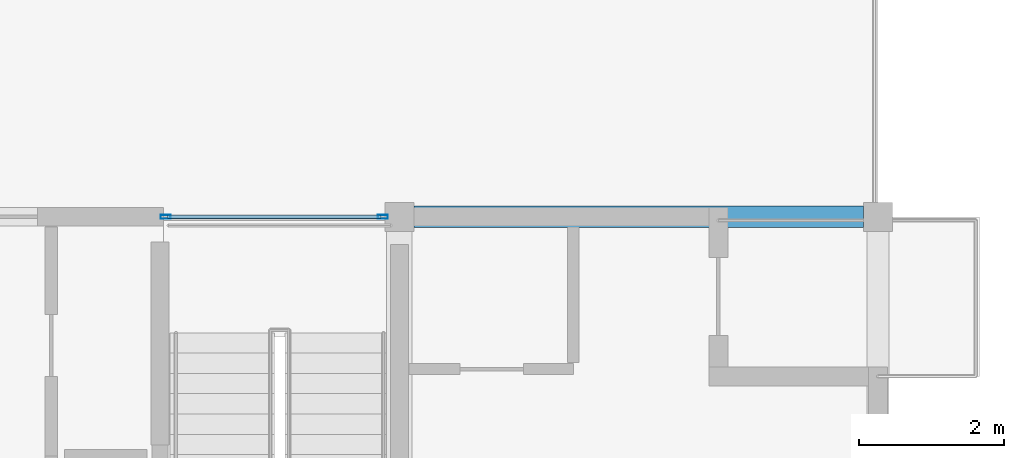
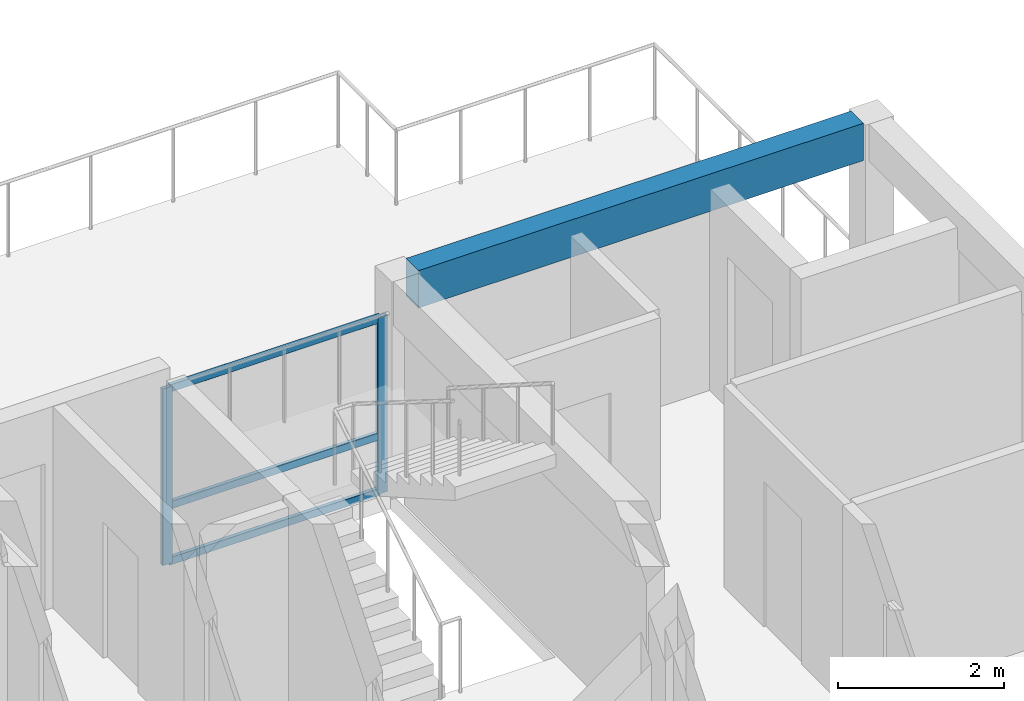
# One storey, part 7 of 37: 5 members, 1 beam, 1 element without a shape of its own.
"""IFC4 building model written with IfcOpenShell, lengths in metres."""

import ifcopenshell
import ifcopenshell.guid

model = None  # the IFC model being written
_history = None  # IfcOwnerHistory: only IFC2X3 demands one
_inside = {}  # id of a spatial element -> (the spatial element, [elements in it])
_under = {}  # id of a project, library or spatial element -> (it, [spatial elements below it])
_declared = {}  # id of a project -> (the project, [libraries it declares])
_typed = {}  # id of a type object -> (the type object, [elements of that type])
_made_of = {}  # id of a material, layer set ... -> (it, [elements and type objects made of it])


def new_model(schema):
    """Start an empty IFC model of exactly this schema.

    Asked for "IFC4X3", IfcOpenShell would pick the latest addendum, in which some entities
    have other attributes; the version numbers below select the first issue.
    IFC2X3 requires an IfcOwnerHistory on every rooted entity: one is made here for all.
    """
    global model, _history
    if schema == "IFC4X3":
        model = ifcopenshell.file(schema_version=(4, 3, 0, 0))
    else:
        model = ifcopenshell.file(schema=schema)
    _inside.clear()
    _under.clear()
    _declared.clear()
    _typed.clear()
    _made_of.clear()
    _history = None
    if model.schema == "IFC2X3":
        org = make("IfcOrganization", Name="unknown")
        user = make(
            "IfcPersonAndOrganization",
            ThePerson=make("IfcPerson", FamilyName="unknown"),
            TheOrganization=org,
        )
        app = make(
            "IfcApplication",
            ApplicationDeveloper=org,
            Version="unknown",
            ApplicationFullName="unknown",
            ApplicationIdentifier="unknown",
        )
        _history = make(
            "IfcOwnerHistory",
            OwningUser=user,
            OwningApplication=app,
            ChangeAction="ADDED",
            CreationDate=0,
        )
    return model


def make(cls, **values):
    """One entity of the class cls with the attributes given. An attribute that is None is left unset."""
    return model.create_entity(
        cls, **{name: value for name, value in values.items() if value is not None}
    )


def rooted(cls, **values):
    """An entity with a GlobalId (a new one), such as an element, a storey or a relation."""
    return make(cls, GlobalId=ifcopenshell.guid.new(), OwnerHistory=_history, **values)


def si_unit(unit_type, name, prefix=None):
    """IfcSIUnit, for example si_unit("LENGTHUNIT", "METRE", prefix="MILLI")."""
    return make("IfcSIUnit", UnitType=unit_type, Prefix=prefix, Name=name)


def assignment(units):
    """IfcUnitAssignment: the units of a project."""
    return None if units is None else make("IfcUnitAssignment", Units=units)


def point(xyz):
    """IfcCartesianPoint."""
    return None if xyz is None else make("IfcCartesianPoint", Coordinates=xyz)


def direction(xyz):
    """IfcDirection."""
    return None if xyz is None else make("IfcDirection", DirectionRatios=xyz)


def frame(location, z_axis=None, x_axis=None):
    """IfcAxis2Placement3D, a coordinate frame: its origin and axes. An axis left out is left unset."""
    return make(
        "IfcAxis2Placement3D",
        Location=point(location),
        Axis=direction(z_axis),
        RefDirection=direction(x_axis),
    )


def frame_2d(location, x_axis=None):
    """IfcAxis2Placement2D, a coordinate frame in the plane: its origin and x axis."""
    return make(
        "IfcAxis2Placement2D", Location=point(location), RefDirection=direction(x_axis)
    )


def origin():
    """The frame at (0, 0, 0) with its axes left unset."""
    return frame((0.0, 0.0, 0.0))


def origin_2d():
    """The frame at (0, 0) in the plane with its x axis left unset."""
    return frame_2d((0.0, 0.0))


def place(relative_to, where):
    """IfcLocalPlacement: puts the frame where relative to a parent placement (None: the world)."""
    return make(
        "IfcLocalPlacement", PlacementRelTo=relative_to, RelativePlacement=where
    )


def context(
    kind, dimensions, precision=None, world=None, true_north=None, identifier=None
):
    """IfcGeometricRepresentationContext, for example the 3D "Model" context."""
    return make(
        "IfcGeometricRepresentationContext",
        ContextIdentifier=identifier,
        ContextType=kind,
        CoordinateSpaceDimension=dimensions,
        Precision=precision,
        WorldCoordinateSystem=world,
        TrueNorth=true_north,
    )


def subcontext(parent, identifier, kind, view, scale=None):
    """IfcGeometricRepresentationSubContext, for example "Body" below "Model"."""
    return make(
        "IfcGeometricRepresentationSubContext",
        ContextIdentifier=identifier,
        ContextType=kind,
        ParentContext=parent,
        TargetScale=scale,
        TargetView=view,
    )


def project(units=None, contexts=None):
    """IfcProject with its units and contexts."""
    return rooted(
        "IfcProject",
        Name="project",
        RepresentationContexts=contexts,
        UnitsInContext=assignment(units),
    )


def spatial(cls, under=None, at=None, **own):
    """A site, building, storey or space (cls), placed at a placement, below another one or the project."""
    s = rooted(cls, ObjectPlacement=at, **own)
    if under is not None:
        _under.setdefault(under.id(), (under, []))[1].append(s)
    return s


def profile(cls, at=None, kind="AREA", **sizes):
    """A parametric profile (cls). Its sizes go by their IFC names, for example OverallWidth=200.0."""
    return make(cls, ProfileType=kind, Position=at, **sizes)


def rectangle(**sizes):
    """IfcRectangleProfileDef."""
    return profile("IfcRectangleProfileDef", **sizes)


def hollow_rectangle(**sizes):
    """IfcRectangleHollowProfileDef."""
    return profile("IfcRectangleHollowProfileDef", **sizes)


def extrude(swept, where, along, depth):
    """IfcExtrudedAreaSolid: the profile swept, set in the frame where, extruded along a direction by depth."""
    return make(
        "IfcExtrudedAreaSolid",
        SweptArea=swept,
        Position=where,
        ExtrudedDirection=direction(along),
        Depth=depth,
    )


def shape(context_of_items, identifier, shape_type, items):
    """IfcShapeRepresentation: the items that make up one representation, for example the "Body"."""
    return make(
        "IfcShapeRepresentation",
        ContextOfItems=context_of_items,
        RepresentationIdentifier=identifier,
        RepresentationType=shape_type,
        Items=items,
    )


def material(Name=None, Category=None):
    """IfcMaterial."""
    return make("IfcMaterial", Name=Name, Category=Category)


def material_profile(
    of_material, cross_section, Name=None, Category=None, Priority=None
):
    """IfcMaterialProfile: a cross section and its material."""
    return make(
        "IfcMaterialProfile",
        Name=Name,
        Material=of_material,
        Profile=cross_section,
        Priority=Priority,
        Category=Category,
    )


def profile_set(profiles, Name=None, composite=None):
    """IfcMaterialProfileSet."""
    return make(
        "IfcMaterialProfileSet",
        Name=Name,
        MaterialProfiles=profiles,
        CompositeProfile=composite,
    )


def made_of(thing, what):
    """Note that an element or type object is made of a material, layer set ...; save() writes the relation."""
    if what is not None:
        _made_of.setdefault(what.id(), (what, []))[1].append(thing)
    return thing


def type_object(cls, material=None, **own):
    """A type object (cls), such as IfcWallType, which elements share."""
    return made_of(rooted(cls, **own), material)


def element(
    cls,
    number,
    at=None,
    inside=None,
    cuts=None,
    type_object=None,
    material=None,
    context=None,
    identifier="Body",
    shape_type=None,
    held_by="IfcProductDefinitionShape",
    body=None,
    shapes=None,
    **own,
):
    """One element of the class cls, such as IfcWall. Its Tag is "e" and its number.

    at: its placement. inside: the storey or other place that contains it. cuts: it is an
    opening in that element (IfcRelVoidsElement). A single representation is given by context,
    identifier, shape_type and body (its items); several are given by shapes. held_by: the class
    of the entity that holds the representations. save() writes the other relations.
    """
    e = rooted(cls, Tag="e%d" % number, ObjectPlacement=at, **own)
    if body is not None:
        shapes = [shape(context, identifier, shape_type, body)]
    if shapes is not None:
        e.Representation = make(held_by, Representations=shapes)
    if inside is not None:
        _inside.setdefault(inside.id(), (inside, []))[1].append(e)
    if cuts is not None:
        rooted(
            "IfcRelVoidsElement", RelatingBuildingElement=cuts, RelatedOpeningElement=e
        )
    if type_object is not None:
        _typed.setdefault(type_object.id(), (type_object, []))[1].append(e)
    return made_of(e, material)


def aggregate(whole, parts):
    """IfcRelAggregates: a whole, such as a stair, and the parts it consists of."""
    return rooted("IfcRelAggregates", RelatingObject=whole, RelatedObjects=parts)


def save(model, path):
    """Write the relations noted so far, then the file.

    IfcRelAggregates (storeys below a building ...), IfcRelContainedInSpatialStructure (elements
    in a storey), IfcRelDefinesByType, IfcRelAssociatesMaterial and IfcRelDeclares: one each for
    every whole, place, type object, material and project.
    """
    for whole, parts in _under.values():
        aggregate(whole, parts)
    for where, things in _inside.values():
        rooted(
            "IfcRelContainedInSpatialStructure",
            RelatedElements=things,
            RelatingStructure=where,
        )
    for kind, things in _typed.values():
        rooted("IfcRelDefinesByType", RelatedObjects=things, RelatingType=kind)
    for what, things in _made_of.values():
        rooted("IfcRelAssociatesMaterial", RelatedObjects=things, RelatingMaterial=what)
    for by, libraries in _declared.values():
        rooted("IfcRelDeclares", RelatingContext=by, RelatedDefinitions=libraries)
    model.write(path)


model = new_model("IFC4")

# Units and contexts
model_context = context("Model", 3, precision=1e-05, world=origin(), true_north=direction((0.0, 1.0)))
body_context = subcontext(model_context, "Body", "Model", "MODEL_VIEW")
ifc_project = project(units=[si_unit("LENGTHUNIT", "METRE"), si_unit("AREAUNIT", "SQUARE_METRE"), si_unit("VOLUMEUNIT", "CUBIC_METRE"), si_unit("PLANEANGLEUNIT", "RADIAN"), si_unit("MASSUNIT", "GRAM", prefix="KILO")], contexts=[model_context])

# Site, building, storey
site_placement = place(None, origin())
site = spatial("IfcSite", under=ifc_project, at=site_placement, CompositionType="ELEMENT")
building_placement = place(site_placement, origin())
building = spatial("IfcBuilding", under=site, at=building_placement, Name="Kernevlak Ridge Housing Community", CompositionType="ELEMENT")
storey_placement = place(building_placement, frame((0.0, 0.0, 37.199951171875)))
storey = spatial("IfcBuildingStorey", under=building, at=storey_placement, Name="L11", CompositionType="ELEMENT", Elevation=37.199951171875)

# Curtain wall, members
ifc_material_1 = material(Name="Aluminium EN AW-6060 anodised and laminated glass", Category="aluminium")
curtain_wall_type = type_object("IfcCurtainWallType", Name="CW-12", PredefinedType="NOTDEFINED", material=ifc_material_1)
curtain_wall_placement = place(storey_placement, origin())
curtain_wall = element("IfcCurtainWall", 1, at=curtain_wall_placement, inside=storey, type_object=curtain_wall_type, Name="Curtain wall CW-12 CW-L11-135", PredefinedType="NOTDEFINED")
ifc_material_2 = material(Name="Aluminium EN AW-6060 anodised", Category="aluminium")
ifc_material_profile_1 = material_profile(ifc_material_2, hollow_rectangle(XDim=0.054931640625, YDim=0.139892578125, WallThickness=0.00390625, InnerFilletRadius=0.001953125, OuterFilletRadius=0.00390625, at=origin_2d()), Name="ALU 55x140x4")
ifc_profile_set_1 = profile_set([ifc_material_profile_1], Name="Aluminium EN AW-6060 anodised")
member_type_1 = type_object("IfcMemberType", Name="MU-01", PredefinedType="MULLION", material=ifc_profile_set_1)
member_1_placement = place(storey_placement, frame((135.9775390625, 35.39990234375, 0.0), z_axis=(0.0, 0.0, 1.0), x_axis=(0.0, 1.0, 0.0)))
member_1 = element("IfcMember", 2, at=member_1_placement, type_object=member_type_1, Name="CW-12 mullion 1", PredefinedType="MULLION", context=body_context, shape_type="SweptSolid", body=[
    extrude(hollow_rectangle(XDim=0.054931640625, YDim=0.139892578125, WallThickness=0.00390625, InnerFilletRadius=0.001953125, OuterFilletRadius=0.00390625, at=origin_2d()), origin(), (0.0, 0.0, 1.0), 2.60009765625),
])
member_2_placement = place(storey_placement, frame((138.972412109375, 35.39990234375, 0.0), z_axis=(0.0, 0.0, 1.0), x_axis=(0.0, 1.0, 0.0)))
member_2 = element("IfcMember", 3, at=member_2_placement, type_object=member_type_1, Name="CW-12 mullion 2", PredefinedType="MULLION", context=body_context, shape_type="SweptSolid", body=[
    extrude(hollow_rectangle(XDim=0.054931640625, YDim=0.139892578125, WallThickness=0.00390625, InnerFilletRadius=0.001953125, OuterFilletRadius=0.00390625, at=origin_2d()), origin(), (0.0, 0.0, 1.0), 2.60009765625),
])

# Beam
ifc_material_3 = material(Name="Concrete C35/45", Category="concrete")
ifc_material_profile_2 = material_profile(ifc_material_3, rectangle(XDim=0.300048828125, YDim=0.550048828125, at=origin_2d()), Name="RC 300x550")
ifc_profile_set_2 = profile_set([ifc_material_profile_2], Name="Concrete C35/45")
beam_type = type_object("IfcBeamType", Name="SP-01", PredefinedType="SPANDREL", material=ifc_profile_set_2)
beam_placement = place(storey_placement, frame((139.39990234375, 35.39990234375, 2.925048828125), z_axis=(1.0, 0.0, 0.0), x_axis=(0.0, 1.0, 0.0)))
element("IfcBeam", 4, at=beam_placement, inside=storey, type_object=beam_type, Name="Beam SP-01 L11 1260", PredefinedType="SPANDREL", context=body_context, shape_type="SweptSolid", body=[
    extrude(rectangle(XDim=0.300048828125, YDim=0.550048828125, at=origin_2d()), origin(), (0.0, 0.0, 1.0), 6.2001953125),
])

# Member
ifc_material_profile_3 = material_profile(ifc_material_2, hollow_rectangle(XDim=0.054931640625, YDim=0.110107421875, WallThickness=0.00390625, InnerFilletRadius=0.001953125, OuterFilletRadius=0.00390625, at=origin_2d()), Name="ALU 55x110x4")
ifc_profile_set_3 = profile_set([ifc_material_profile_3], Name="Aluminium EN AW-6060 anodised")
member_type_2 = type_object("IfcMemberType", Name="TM-01", PredefinedType="USERDEFINED", material=ifc_profile_set_3)
member_3_placement = place(storey_placement, frame((136.0048828125, 35.39990234375, 0.027587890625), z_axis=(1.0, 0.0, 0.0), x_axis=(0.0, 1.0, 0.0)))
member_3 = element("IfcMember", 5, at=member_3_placement, type_object=member_type_2, Name="CW-12 transom 1.1", ObjectType="TRANSOM", PredefinedType="USERDEFINED", context=body_context, shape_type="SweptSolid", body=[
    extrude(hollow_rectangle(XDim=0.054931640625, YDim=0.110107421875, WallThickness=0.00390625, InnerFilletRadius=0.001953125, OuterFilletRadius=0.00390625, at=origin_2d()), origin(), (0.0, 0.0, 1.0), 2.940185546875),
])

member_4_placement = place(storey_placement, frame((136.0048828125, 35.39990234375, 0.85009765625), z_axis=(1.0, 0.0, 0.0), x_axis=(0.0, 1.0, 0.0)))
member_4 = element("IfcMember", 6, at=member_4_placement, type_object=member_type_2, Name="CW-12 transom 1.2", ObjectType="TRANSOM", PredefinedType="USERDEFINED", context=body_context, shape_type="SweptSolid", body=[
    extrude(hollow_rectangle(XDim=0.054931640625, YDim=0.110107421875, WallThickness=0.00390625, InnerFilletRadius=0.001953125, OuterFilletRadius=0.00390625, at=origin_2d()), origin(), (0.0, 0.0, 1.0), 2.940185546875),
])

member_5_placement = place(storey_placement, frame((136.0048828125, 35.39990234375, 2.572509765625), z_axis=(1.0, 0.0, 0.0), x_axis=(0.0, 1.0, 0.0)))
member_5 = element("IfcMember", 7, at=member_5_placement, type_object=member_type_2, Name="CW-12 transom 1.3", ObjectType="TRANSOM", PredefinedType="USERDEFINED", context=body_context, shape_type="SweptSolid", body=[
    extrude(hollow_rectangle(XDim=0.054931640625, YDim=0.110107421875, WallThickness=0.00390625, InnerFilletRadius=0.001953125, OuterFilletRadius=0.00390625, at=origin_2d()), origin(), (0.0, 0.0, 1.0), 2.940185546875),
])

aggregate(curtain_wall, [member_1, member_2, member_3, member_4, member_5])

save(model, "model.ifc")
